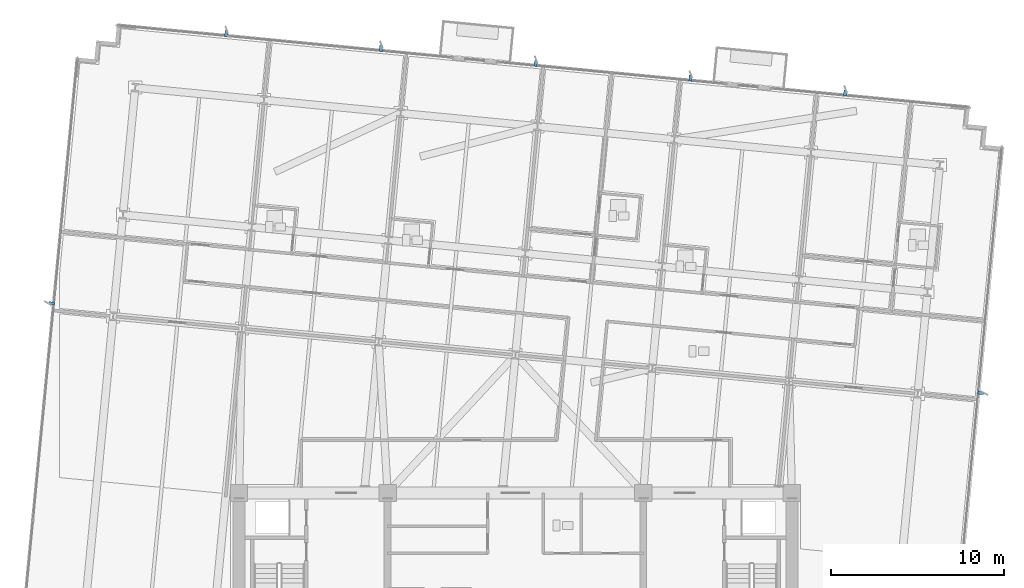
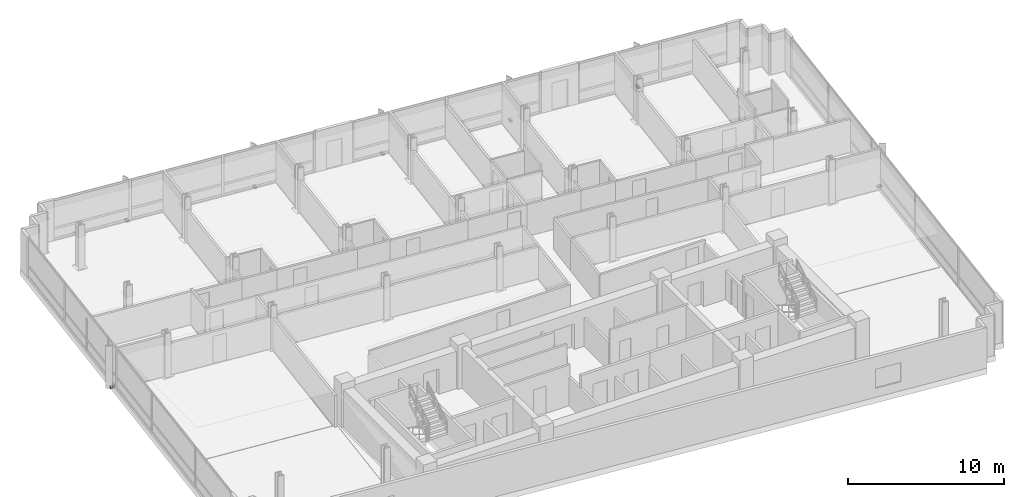
# One storey, part 14 of 18: 7 discrete accessories.
"""IFC4 building model written with IfcOpenShell, lengths in metres."""

from ifc_helpers import new_model, si_unit, direction, frame, origin, origin_2d, place, context, subcontext, project, spatial, rectangle, extrude, material, type_object, element, save


model = new_model("IFC4")

# Units and contexts
model_context = context("Model", 3, precision=1e-05, world=origin(), true_north=direction((0.0, 1.0)))
body_context = subcontext(model_context, "Body", "Model", "MODEL_VIEW")
ifc_project = project(units=[si_unit("LENGTHUNIT", "METRE"), si_unit("AREAUNIT", "SQUARE_METRE"), si_unit("VOLUMEUNIT", "CUBIC_METRE"), si_unit("PLANEANGLEUNIT", "RADIAN"), si_unit("MASSUNIT", "GRAM", prefix="KILO")], contexts=[model_context])

# Site, building, storey
site_placement = place(None, origin())
site = spatial("IfcSite", under=ifc_project, at=site_placement, CompositionType="ELEMENT")
building_placement = place(site_placement, origin())
building = spatial("IfcBuilding", under=site, at=building_placement, Name="Solmavex Isthmus Hotel", CompositionType="ELEMENT")
storey_placement = place(building_placement, frame((0.0, 0.0, 135.89990234375)))
storey = spatial("IfcBuildingStorey", under=building, at=storey_placement, Name="L36", CompositionType="ELEMENT", Elevation=135.89990234375)

# Discrete accessories
ifc_material = material(Name="Steel ASTM A572 Grade 50", Category="steel")
discrete_accessory_type = type_object("IfcDiscreteAccessoryType", Name="ACC-BRK-FIN", PredefinedType="BRACKET", material=ifc_material)
for number, where, z_axis, x_axis, name in (
    (1, (-16.7421875, 24.100830078125, -0.169921875), (0.0, 0.0, 1.0), (0.09584575252, 0.995396198367, 0.0), "Facade Fin Support Bracket L36-N1"),
    (2, (-7.783447265625, 23.23828125, -0.169921875), (0.0, 0.0, 1.0), (0.09584575252, 0.995396198367, 0.0), "Facade Fin Support Bracket L36-N2"),
    (3, (1.175048828125, 22.37548828125, -0.169921875), (0.0, 0.0, 1.0), (0.09584575252, 0.995396198367, 0.0), "Facade Fin Support Bracket L36-N3"),
    (4, (10.133544921875, 21.512939453125, -0.169921875), (0.0, 0.0, 1.0), (0.09584575252, 0.995396198367, 0.0), "Facade Fin Support Bracket L36-N4"),
    (5, (19.09228515625, 20.650390625, -0.169921875), (0.0, 0.0, 1.0), (0.09584575252, 0.995396198367, 0.0), "Facade Fin Support Bracket L36-N5"),
    (6, (-26.85595703125, 8.478271484375, -0.169921875), (0.0, 0.0, 1.0), (-0.995396198367, 0.09584575252, 0.0), "Facade Fin Support Bracket L36-W1"),
    (7, (26.935302734375, 3.298828125, -0.169921875), (0.0, 0.0, 1.0), (0.995396198367, -0.09584575252, 0.0), "Facade Fin Support Bracket L36-E1"),
):
    element("IfcDiscreteAccessory", number, at=place(storey_placement, frame(where, z_axis=z_axis, x_axis=x_axis)), inside=storey, type_object=discrete_accessory_type, Name=name, PredefinedType="BRACKET", context=body_context, shape_type="SweptSolid", body=[
        extrude(rectangle(XDim=0.340087890625, YDim=0.179931640625, at=origin_2d()), origin(), (0.0, 0.0, 1.0), 0.159912109375),
    ])

save(model, "model.ifc")
